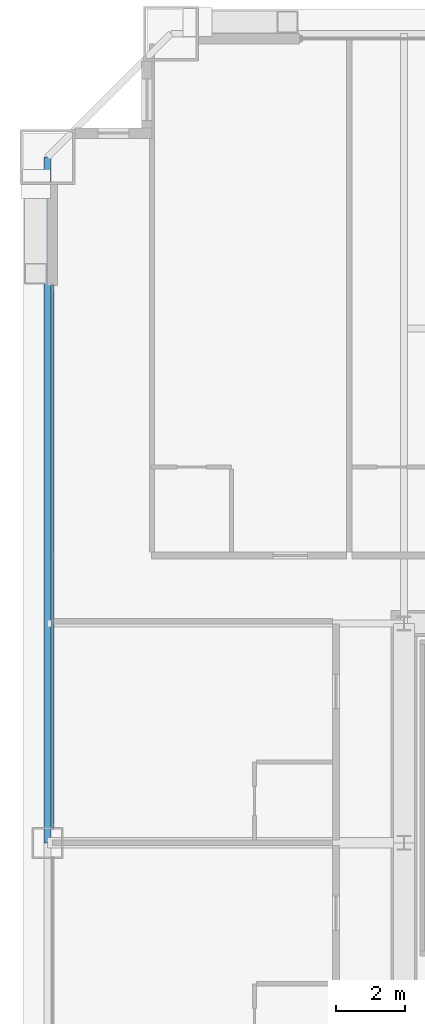
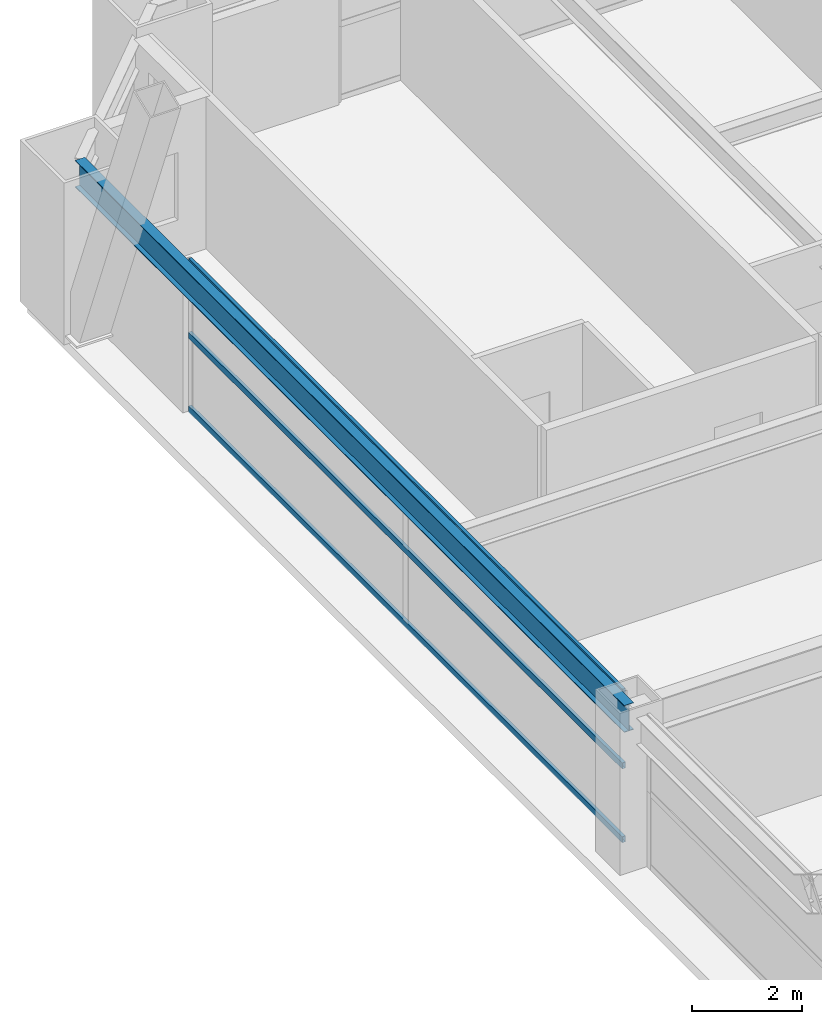
# One storey, part 24 of 43: 3 members, 1 beam, 1 element without a shape of its own.
"""IFC4 building model written with IfcOpenShell, lengths in metres."""

from ifc_helpers import new_model, si_unit, direction, frame, origin, origin_2d, place, context, subcontext, project, spatial, hollow_rectangle, i_section, extrude, source, transform, mapped, material, layer, layer_set, material_profile, profile_set, type_object, element, aggregate, save


model = new_model("IFC4")

# Units and contexts
model_context = context("Model", 3, precision=1e-05, world=origin(), true_north=direction((0.0, 1.0)))
body_context = subcontext(model_context, "Body", "Model", "MODEL_VIEW")
ifc_project = project(units=[si_unit("LENGTHUNIT", "METRE"), si_unit("AREAUNIT", "SQUARE_METRE"), si_unit("VOLUMEUNIT", "CUBIC_METRE"), si_unit("PLANEANGLEUNIT", "RADIAN"), si_unit("MASSUNIT", "GRAM", prefix="KILO"), si_unit("THERMODYNAMICTEMPERATUREUNIT", "KELVIN"), si_unit("POWERUNIT", "WATT")], contexts=[model_context])

# Site, building, storey
site_placement = place(None, origin())
site = spatial("IfcSite", under=ifc_project, at=site_placement, CompositionType="ELEMENT")
building_placement = place(site_placement, origin())
building = spatial("IfcBuilding", under=site, at=building_placement, Name="Yuzanri Waterfront Tower", CompositionType="ELEMENT")
storey_placement = place(building_placement, frame((0.0, 0.0, 93.800048828125)))
storey = spatial("IfcBuildingStorey", under=building, at=storey_placement, Name="L24", CompositionType="ELEMENT", Elevation=93.800048828125)

# Beam
ifc_material_1 = material(Name="Steel Q355B", Category="steel")
ifc_material_profile_1 = material_profile(ifc_material_1, i_section(OverallWidth=0.199951171875, OverallDepth=0.60009765625, WebThickness=0.010986328125, FlangeThickness=0.01708984375, at=origin_2d()), Name="HN 600x200x11x17")
ifc_profile_set_1 = profile_set([ifc_material_profile_1], Name="Steel Q355B")
beam_type = type_object("IfcBeamType", Name="Perimeter Spandrel Q355B HN 600x200", PredefinedType="SPANDREL", material=ifc_profile_set_1)
shared_shape_1 = source(origin(), body_context, "Body", "SweptSolid", [
    extrude(i_section(OverallWidth=0.199951171875, OverallDepth=0.60009765625, WebThickness=0.010986328125, FlangeThickness=0.01708984375, at=origin_2d()), origin(), (0.0, 0.0, 1.0), 20.0),
])
beam_placement = place(storey_placement, frame((13.39990234375, 45.800048828125, 3.079833984375), z_axis=(0.0, -1.0, 0.0), x_axis=(1.0, 0.0, 0.0)))
element("IfcBeam", 1, at=beam_placement, inside=storey, type_object=beam_type, Name="L24 Perimeter Spandrel W3-W2", PredefinedType="SPANDREL", context=body_context, shape_type="MappedRepresentation", body=[
    mapped(shared_shape_1, transform((0.0, 0.0, 0.0), scale=1.0)),
])

# Curtain wall, members
ifc_material_2 = material(Name="Anodized Architectural Bronze", Category="metal")
ifc_layer = layer(ifc_material_2, 0.159912109375)
ifc_layer_set = layer_set([ifc_layer], Name="Anodized Architectural Bronze")
curtain_wall_type = type_object("IfcCurtainWallType", Name="Anodized Bronze Hotel Upper-Tier Solar-Control Unitized Curtain Wall 7800", PredefinedType="NOTDEFINED", material=ifc_layer_set)
curtain_wall_placement = place(storey_placement, origin())
curtain_wall = element("IfcCurtainWall", 2, at=curtain_wall_placement, inside=storey, type_object=curtain_wall_type, Name="L24 Curtain Wall CW-L24-WR", PredefinedType="NOTDEFINED")
ifc_material_3 = material(Name="Anodized Architectural Bronze", Category="metal")
ifc_material_profile_2 = material_profile(ifc_material_3, hollow_rectangle(XDim=0.070068359375, YDim=0.135009765625, WallThickness=0.00341796875, at=origin_2d()), Name="CWT 70x135")
ifc_profile_set_2 = profile_set([ifc_material_profile_2], Name="Anodized Architectural Bronze")
member_type = type_object("IfcMemberType", Name="Anodized Bronze Standard Curtain-Wall Transom 70x135", PredefinedType="USERDEFINED", material=ifc_profile_set_2)
shared_shape_2 = source(origin(), body_context, "Body", "SweptSolid", [
    extrude(hollow_rectangle(XDim=0.070068359375, YDim=0.135009765625, WallThickness=0.00341796875, at=origin_2d()), origin(), (0.0, 0.0, 1.0), 15.800048828125),
])
member_1_placement = place(storey_placement, frame((13.550048828125, 26.25, 0.050048828125), z_axis=(0.0, 1.0, 0.0), x_axis=(-1.0, 0.0, 0.0)))
member_1 = element("IfcMember", 3, at=member_1_placement, type_object=member_type, Name="CW-L24-WR Transom 1", ObjectType="TRANSOM", PredefinedType="USERDEFINED", context=body_context, shape_type="MappedRepresentation", body=[
    mapped(shared_shape_2, transform((0.0, 0.0, 0.0), scale=1.0)),
])
member_2_placement = place(storey_placement, frame((13.550048828125, 26.25, 1.68994140625), z_axis=(0.0, 1.0, 0.0), x_axis=(-1.0, 0.0, 0.0)))
member_2 = element("IfcMember", 4, at=member_2_placement, type_object=member_type, Name="CW-L24-WR Transom 2", ObjectType="TRANSOM", PredefinedType="USERDEFINED", context=body_context, shape_type="MappedRepresentation", body=[
    mapped(shared_shape_2, transform((0.0, 0.0, 0.0), scale=1.0)),
])
member_3_placement = place(storey_placement, frame((13.550048828125, 26.25, 3.329833984375), z_axis=(0.0, 1.0, 0.0), x_axis=(-1.0, 0.0, 0.0)))
member_3 = element("IfcMember", 5, at=member_3_placement, type_object=member_type, Name="CW-L24-WR Transom 3", ObjectType="TRANSOM", PredefinedType="USERDEFINED", context=body_context, shape_type="MappedRepresentation", body=[
    mapped(shared_shape_2, transform((0.0, 0.0, 0.0), scale=1.0)),
])
aggregate(curtain_wall, [member_1, member_2, member_3])

save(model, "model.ifc")
